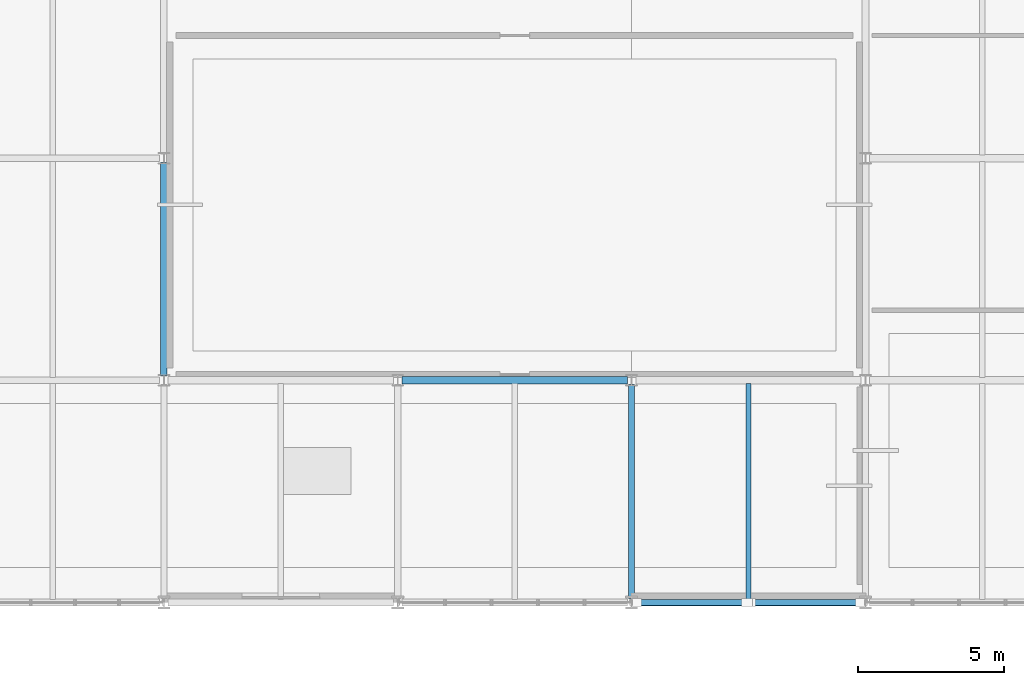
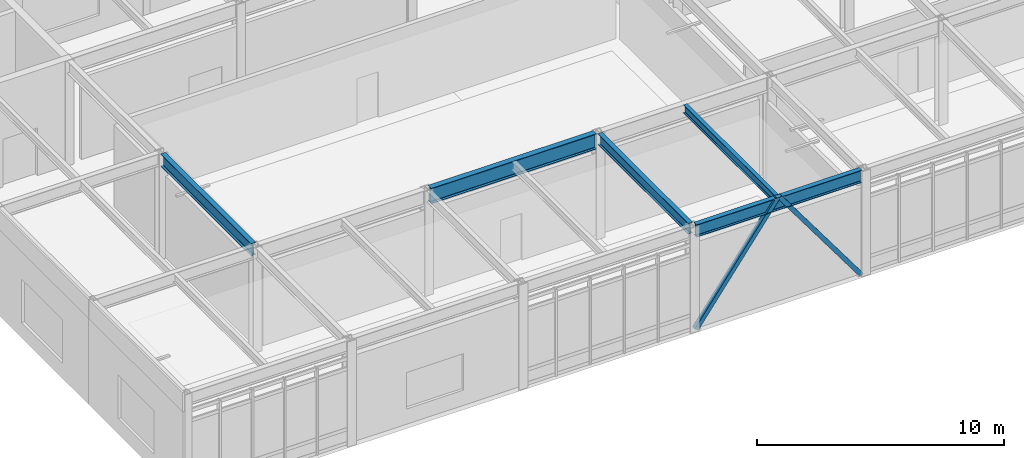
# One storey, part 52 of 94: 5 beams, 2 members.
"""IFC4 building model written with IfcOpenShell, lengths in metres."""

from ifc_helpers import new_model, si_unit, direction, frame, origin, origin_2d, place, context, subcontext, project, spatial, hollow_rectangle, i_section, extrude, material, material_profile, profile_set, type_object, element, save


model = new_model("IFC4")

# Units and contexts
model_context = context("Model", 3, precision=1e-05, world=origin(), true_north=direction((0.0, 1.0)))
body_context = subcontext(model_context, "Body", "Model", "MODEL_VIEW")
ifc_project = project(units=[si_unit("LENGTHUNIT", "METRE"), si_unit("AREAUNIT", "SQUARE_METRE"), si_unit("VOLUMEUNIT", "CUBIC_METRE"), si_unit("PLANEANGLEUNIT", "RADIAN"), si_unit("MASSUNIT", "GRAM", prefix="KILO")], contexts=[model_context])

# Site, building, storey
site_placement = place(None, origin())
site = spatial("IfcSite", under=ifc_project, at=site_placement, CompositionType="ELEMENT")
building_placement = place(site_placement, origin())
building = spatial("IfcBuilding", under=site, at=building_placement, Name="Zulena Civic Courthouse", CompositionType="ELEMENT")
storey_placement = place(building_placement, frame((0.0, 0.0, 5.39990234375)))
storey = spatial("IfcBuildingStorey", under=building, at=storey_placement, Name="L01", CompositionType="ELEMENT", Elevation=5.39990234375)

# Members
ifc_material_1 = material(Name="Steel ASTM A500 Grade C", Category="steel")
ifc_material_profile_1 = material_profile(ifc_material_1, hollow_rectangle(XDim=0.202880859375, YDim=0.202880859375, WallThickness=0.01171875, at=origin_2d()), Name="HSS8X8X1/2")
ifc_profile_set_1 = profile_set([ifc_material_profile_1], Name="Steel ASTM A500 Grade C")
member_type = type_object("IfcMemberType", Name="Brace_HSS8", PredefinedType="BRACE", material=ifc_profile_set_1)
for number, where, z_axis, x_axis, name in (
    (1, (148.14990234375, 0.0, 0.010009765625), (0.593725886298, 0.0, 0.804667367264), (0.0, 1.0, 0.0), "brace:V1:L01:2:0"),
    (2, (155.85009765625, 0.0, 0.010009765625), (-0.593725886298, 0.0, 0.804667367264), (0.0, -1.0, 0.0), "brace:V1:L01:2:1"),
):
    element("IfcMember", number, at=place(storey_placement, frame(where, z_axis=z_axis, x_axis=x_axis)), inside=storey, type_object=member_type, Name=name, PredefinedType="BRACE", context=body_context, shape_type="SweptSolid", body=[
        extrude(hollow_rectangle(XDim=0.202880859375, YDim=0.202880859375, WallThickness=0.01171875, at=origin_2d()), origin(), (0.0, 0.0, 1.0), 6.400390625),
    ])

# Beams
ifc_material_2 = material(Name="Steel ASTM A992 Grade 50", Category="steel")
ifc_material_profile_2 = material_profile(ifc_material_2, i_section(OverallWidth=0.22802734375, OverallDepth=0.60693359375, WebThickness=0.01123046875, FlangeThickness=0.017333984375, FilletRadius=0.0126953125, at=origin_2d()), Name="W24X76")
ifc_profile_set_2 = profile_set([ifc_material_profile_2], Name="Steel ASTM A992 Grade 50")
beam_type_1 = type_object("IfcBeamType", Name="Girder_W24X76", PredefinedType="BEAM", material=ifc_profile_set_2)
beam_1_placement = place(storey_placement, frame((132.0, 7.7451171875, 4.881591796875), z_axis=(0.0, 1.0, 0.0), x_axis=(-1.0, 0.0, 0.0)))
element("IfcBeam", 3, at=beam_1_placement, inside=storey, type_object=beam_type_1, Name="beam:Y:V1:L01:132.0:7.6_15.2", PredefinedType="BEAM", context=body_context, shape_type="SweptSolid", body=[
    extrude(i_section(OverallWidth=0.22802734375, OverallDepth=0.60693359375, WebThickness=0.01123046875, FlangeThickness=0.017333984375, FilletRadius=0.0126953125, at=origin_2d()), origin(), (0.0, 0.0, 1.0), 7.309814453125),
])
ifc_material_profile_3 = material_profile(ifc_material_2, i_section(OverallWidth=0.26708984375, OverallDepth=0.761962890625, WebThickness=0.014404296875, FlangeThickness=0.021484375, FilletRadius=0.0166015625, at=origin_2d()), Name="W30X116")
ifc_profile_set_3 = profile_set([ifc_material_profile_3], Name="Steel ASTM A992 Grade 50")
beam_type_2 = type_object("IfcBeamType", Name="Girder_W30X116", PredefinedType="BEAM", material=ifc_profile_set_3)
beam_2_placement = place(storey_placement, frame((140.14501953125, 7.60009765625, 4.80419921875), z_axis=(1.0, 0.0, 0.0), x_axis=(0.0, 1.0, 0.0)))
element("IfcBeam", 4, at=beam_2_placement, inside=storey, type_object=beam_type_2, Name="beam:X:V1:L01:7.6:140.0_148.0", PredefinedType="BEAM", context=body_context, shape_type="SweptSolid", body=[
    extrude(i_section(OverallWidth=0.26708984375, OverallDepth=0.761962890625, WebThickness=0.014404296875, FlangeThickness=0.021484375, FilletRadius=0.0166015625, at=origin_2d()), origin(), (0.0, 0.0, 1.0), 7.7099609375),
])
ifc_material_profile_4 = material_profile(ifc_material_2, i_section(OverallWidth=0.180908203125, OverallDepth=0.4169921875, WebThickness=0.010986328125, FlangeThickness=0.018310546875, FilletRadius=0.01025390625, at=origin_2d()), Name="W16X57")
ifc_profile_set_4 = profile_set([ifc_material_profile_4], Name="Steel ASTM A992 Grade 50")
beam_type_3 = type_object("IfcBeamType", Name="Joist_W16X57", PredefinedType="JOIST", material=ifc_profile_set_4)
beam_3_placement = place(storey_placement, frame((152.0, 0.10498046875, 4.9765625), z_axis=(0.0, 1.0, 0.0), x_axis=(-1.0, 0.0, 0.0)))
element("IfcBeam", 5, at=beam_3_placement, inside=storey, type_object=beam_type_3, Name="joist:V1:L01:152.00:0.0_7.6", PredefinedType="JOIST", context=body_context, shape_type="SweptSolid", body=[
    extrude(i_section(OverallWidth=0.180908203125, OverallDepth=0.4169921875, WebThickness=0.010986328125, FlangeThickness=0.018310546875, FilletRadius=0.01025390625, at=origin_2d()), origin(), (0.0, 0.0, 1.0), 7.39013671875),
])
ifc_material_profile_5 = material_profile(ifc_material_2, i_section(OverallWidth=0.2099609375, OverallDepth=0.537109375, WebThickness=0.010986328125, FlangeThickness=0.017333984375, FilletRadius=0.0126953125, at=origin_2d()), Name="W21X68")
ifc_profile_set_5 = profile_set([ifc_material_profile_5], Name="Steel ASTM A992 Grade 50")
beam_type_4 = type_object("IfcBeamType", Name="Spandrel_W21X68", PredefinedType="SPANDREL", material=ifc_profile_set_5)
beam_4_placement = place(storey_placement, frame((148.0, 0.14501953125, 4.91650390625), z_axis=(0.0, 1.0, 0.0), x_axis=(-1.0, 0.0, 0.0)))
element("IfcBeam", 6, at=beam_4_placement, inside=storey, type_object=beam_type_4, Name="beam:Y:V1:L01:148.0:0.0_7.6", PredefinedType="SPANDREL", context=body_context, shape_type="SweptSolid", body=[
    extrude(i_section(OverallWidth=0.2099609375, OverallDepth=0.537109375, WebThickness=0.010986328125, FlangeThickness=0.017333984375, FilletRadius=0.0126953125, at=origin_2d()), origin(), (0.0, 0.0, 1.0), 7.31005859375),
])
ifc_material_profile_6 = material_profile(ifc_material_2, i_section(OverallWidth=0.22998046875, OverallDepth=0.616943359375, WebThickness=0.01318359375, FlangeThickness=0.022216796875, FilletRadius=0.0126953125, at=origin_2d()), Name="W24X94")
ifc_profile_set_6 = profile_set([ifc_material_profile_6], Name="Steel ASTM A992 Grade 50")
beam_type_5 = type_object("IfcBeamType", Name="Spandrel_W24X94", PredefinedType="SPANDREL", material=ifc_profile_set_6)
beam_5_placement = place(storey_placement, frame((148.14501953125, 0.0, 4.876708984375), z_axis=(1.0, 0.0, 0.0), x_axis=(0.0, 1.0, 0.0)))
element("IfcBeam", 7, at=beam_5_placement, inside=storey, type_object=beam_type_5, Name="beam:X:V1:L01:0.0:148.0_156.0", PredefinedType="SPANDREL", context=body_context, shape_type="SweptSolid", body=[
    extrude(i_section(OverallWidth=0.22998046875, OverallDepth=0.616943359375, WebThickness=0.01318359375, FlangeThickness=0.022216796875, FilletRadius=0.0126953125, at=origin_2d()), origin(), (0.0, 0.0, 1.0), 7.7099609375),
])

save(model, "model.ifc")
